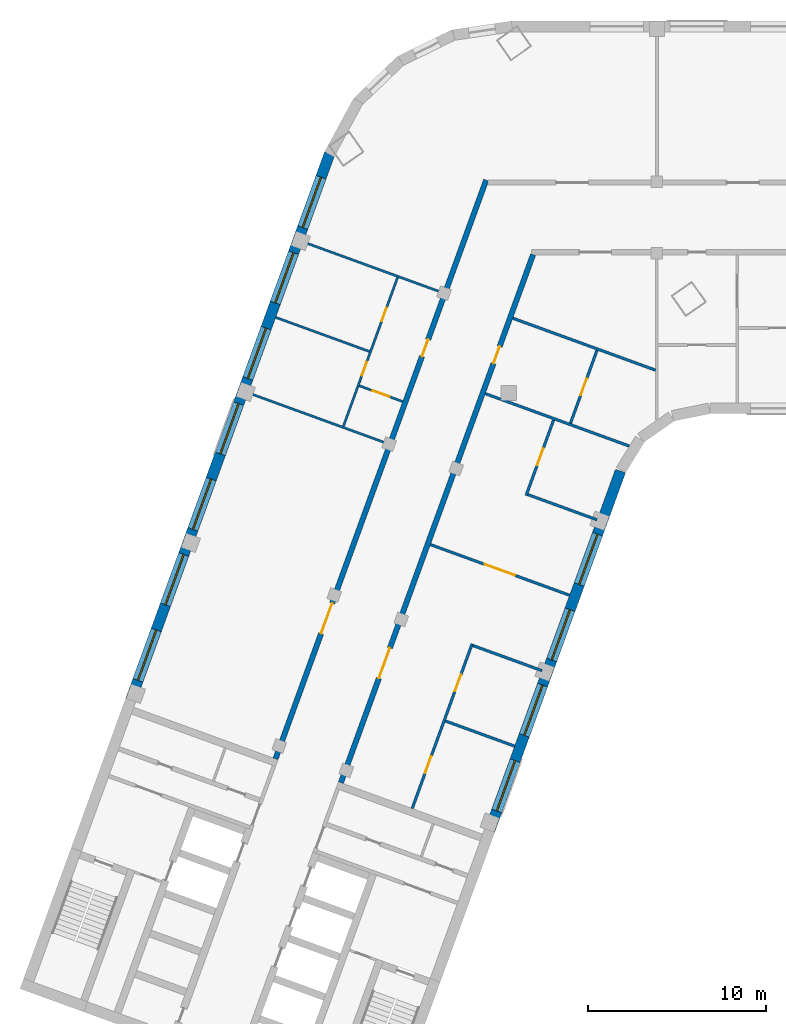
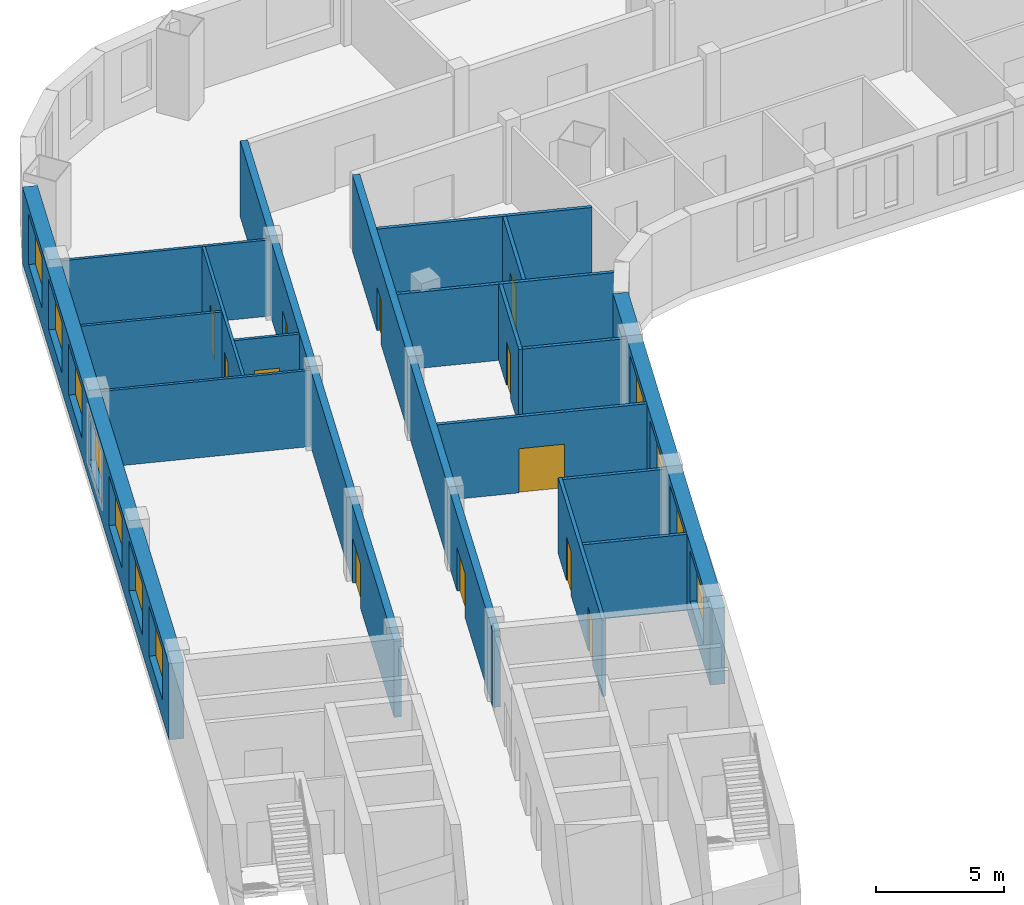
# One storey, part 3 of 8: 18 walls, 12 doors, 11 windows, 23 openings.
"""IFC4 building model written with IfcOpenShell, lengths in metres."""

from ifc_helpers import new_model, si_unit, direction, frame, frame_2d, origin, place, context, subcontext, project, spatial, rectangle, extrude, material, layer, layer_set, type_object, element, fill, save


model = new_model("IFC4")

# Units and contexts
model_context = context("Model", 3, precision=1e-05, world=origin(), true_north=direction((0.0, 1.0)))
body_context = subcontext(model_context, "Body", "Model", "MODEL_VIEW")
ifc_project = project(units=[si_unit("LENGTHUNIT", "METRE"), si_unit("AREAUNIT", "SQUARE_METRE"), si_unit("VOLUMEUNIT", "CUBIC_METRE"), si_unit("PLANEANGLEUNIT", "RADIAN"), si_unit("MASSUNIT", "GRAM", prefix="KILO")], contexts=[model_context])

# Site, building, storey
site_placement = place(None, origin())
site = spatial("IfcSite", under=ifc_project, at=site_placement, CompositionType="ELEMENT")
building_placement = place(site_placement, origin())
building = spatial("IfcBuilding", under=site, at=building_placement, Name="Skarvind Civic Tower", CompositionType="ELEMENT")
storey_placement = place(building_placement, frame((0.0, 0.0, 121.0)))
storey = spatial("IfcBuildingStorey", under=building, at=storey_placement, Name="L28", CompositionType="ELEMENT", Elevation=121.0)

# Wall, openings, doors
ifc_material_1 = material(Name="Fire-rated gypsum board on steel studs", Category="steel")
ifc_layer_1 = layer(ifc_material_1, 0.300048828125)
ifc_layer_set_1 = layer_set([ifc_layer_1], Name="CORRIDOR WALL 300")
wall_type_1 = type_object("IfcWallType", Name="CORRIDOR WALL 300", PredefinedType="PARTITIONING", material=ifc_layer_set_1)
wall_1_placement = place(storey_placement, frame((32.881103515625, 97.656982421875, 0.0), z_axis=(0.0, 0.0, 1.0), x_axis=(0.342017360004, 0.939693633828, 0.0)))
wall_1 = element("IfcWall", 1, at=wall_1_placement, inside=storey, type_object=wall_type_1, Name="Partition 28.002", PredefinedType="PARTITIONING", context=body_context, shape_type="SweptSolid", body=[
    extrude(rectangle(XDim=34.515625, YDim=0.300048828125, at=frame_2d((17.2578125, 0.0))), origin(), (0.0, 0.0, 1.0), 3.625),
])
opening_1_placement = place(wall_1_placement, frame((7.474853515625, 0.0, 0.0)))
opening_1 = element("IfcOpeningElement", 2, at=opening_1_placement, cuts=wall_1, Name="Opening L28-D016", PredefinedType="OPENING", context=body_context, shape_type="SweptSolid", body=[
    extrude(rectangle(XDim=1.800048828125, YDim=2.10009765625, at=frame_2d((0.89990234375, 1.050048828125))), frame((0.0, 0.159912109375, 0.0), z_axis=(0.0, -1.0, 0.0), x_axis=(1.0, 0.0, 0.0)), (0.0, 0.0, 1.0), 0.320068359375),
])
opening_2_placement = place(wall_1_placement, frame((24.00048828125, 0.0, 0.0)))
opening_2 = element("IfcOpeningElement", 3, at=opening_2_placement, cuts=wall_1, Name="Opening L28-D017", PredefinedType="OPENING", context=body_context, shape_type="SweptSolid", body=[
    extrude(rectangle(XDim=1.0, YDim=2.10009765625, at=frame_2d((0.5, 1.050048828125))), frame((0.0, 0.159912109375, 0.0), z_axis=(0.0, -1.0, 0.0), x_axis=(1.0, 0.0, 0.0)), (0.0, 0.0, 1.0), 0.320068359375),
])
ifc_material_2 = material(Name="Fire-rated timber door leaf", Category="wood")
door_type_1 = type_object("IfcDoorType", Name="FD1 1000x2100", OperationType="NOTDEFINED", PredefinedType="DOOR", material=ifc_material_2)
door_1_placement = place(opening_2_placement, origin())
door_1 = element("IfcDoor", 4, at=door_1_placement, inside=storey, type_object=door_type_1, Name="Door L28-D017", OperationType="SINGLE_SWING_LEFT", OverallHeight=2.10009765625, OverallWidth=1.0, PredefinedType="DOOR", context=body_context, shape_type="SweptSolid", body=[
    extrude(rectangle(XDim=1.0, YDim=2.10009765625, at=frame_2d((0.5, 1.050048828125))), frame((0.0, 0.02490234375, 0.0), z_axis=(0.0, -1.0, 0.0), x_axis=(1.0, 0.0, 0.0)), (0.0, 0.0, 1.0), 0.050048828125),
])
fill(opening_2, door_1)
door_type_2 = type_object("IfcDoorType", Name="FD4 1800x2100", OperationType="NOTDEFINED", PredefinedType="DOOR", material=ifc_material_2)
door_2_placement = place(opening_1_placement, origin())
door_2 = element("IfcDoor", 5, at=door_2_placement, inside=storey, type_object=door_type_2, Name="Door L28-D016", OperationType="DOUBLE_DOOR_SINGLE_SWING", OverallHeight=2.10009765625, OverallWidth=1.800048828125, PredefinedType="DOOR", context=body_context, shape_type="SweptSolid", body=[
    extrude(rectangle(XDim=1.800048828125, YDim=2.10009765625, at=frame_2d((0.89990234375, 1.050048828125))), frame((0.0, 0.02490234375, 0.0), z_axis=(0.0, -1.0, 0.0), x_axis=(1.0, 0.0, 0.0)), (0.0, 0.0, 1.0), 0.050048828125),
])
fill(opening_1, door_2)

wall_2_placement = place(storey_placement, frame((47.31396484375, 125.908935546875, 0.0), z_axis=(0.0, 0.0, 1.0), x_axis=(-0.342010770371, -0.939696032209, 0.0)))
wall_2 = element("IfcWall", 6, at=wall_2_placement, inside=storey, type_object=wall_type_1, Name="Partition 28.016", PredefinedType="PARTITIONING", context=body_context, shape_type="SweptSolid", body=[
    extrude(rectangle(XDim=31.484619140625, YDim=0.300048828125, at=frame_2d((15.7421875, 0.0))), origin(), (0.0, 0.0, 1.0), 3.625),
])
opening_3_placement = place(wall_2_placement, frame((23.459228515625, 0.0, 0.0)))
opening_3 = element("IfcOpeningElement", 7, at=opening_3_placement, cuts=wall_2, Name="Opening L28-D023", PredefinedType="OPENING", context=body_context, shape_type="SweptSolid", body=[
    extrude(rectangle(XDim=1.800048828125, YDim=2.10009765625, at=frame_2d((0.89990234375, 1.050048828125))), frame((0.0, 0.159912109375, 0.0), z_axis=(0.0, -1.0, 0.0), x_axis=(1.0, 0.0, 0.0)), (0.0, 0.0, 1.0), 0.320068359375),
])
opening_4_placement = place(wall_2_placement, frame((5.484130859375, 0.0, 0.0)))
opening_4 = element("IfcOpeningElement", 8, at=opening_4_placement, cuts=wall_2, Name="Opening L28-D024", PredefinedType="OPENING", context=body_context, shape_type="SweptSolid", body=[
    extrude(rectangle(XDim=1.0, YDim=2.10009765625, at=frame_2d((0.5, 1.050048828125))), frame((0.0, 0.159912109375, 0.0), z_axis=(0.0, -1.0, 0.0), x_axis=(1.0, 0.0, 0.0)), (0.0, 0.0, 1.0), 0.320068359375),
])
door_3_placement = place(opening_4_placement, origin())
door_3 = element("IfcDoor", 9, at=door_3_placement, inside=storey, type_object=door_type_1, Name="Door L28-D024", OperationType="SINGLE_SWING_LEFT", OverallHeight=2.10009765625, OverallWidth=1.0, PredefinedType="DOOR", context=body_context, shape_type="SweptSolid", body=[
    extrude(rectangle(XDim=1.0, YDim=2.10009765625, at=frame_2d((0.5, 1.050048828125))), frame((0.0, 0.02490234375, 0.0), z_axis=(0.0, -1.0, 0.0), x_axis=(1.0, 0.0, 0.0)), (0.0, 0.0, 1.0), 0.050048828125),
])
fill(opening_4, door_3)
door_4_placement = place(opening_3_placement, origin())
door_4 = element("IfcDoor", 10, at=door_4_placement, inside=storey, type_object=door_type_2, Name="Door L28-D023", OperationType="DOUBLE_DOOR_SINGLE_SWING", OverallHeight=2.10009765625, OverallWidth=1.800048828125, PredefinedType="DOOR", context=body_context, shape_type="SweptSolid", body=[
    extrude(rectangle(XDim=1.800048828125, YDim=2.10009765625, at=frame_2d((0.89990234375, 1.050048828125))), frame((0.0, 0.02490234375, 0.0), z_axis=(0.0, -1.0, 0.0), x_axis=(1.0, 0.0, 0.0)), (0.0, 0.0, 1.0), 0.050048828125),
])
fill(opening_3, door_4)

ifc_material_3 = material(Name="Plasterboard partition on steel studs", Category="steel")
ifc_layer_2 = layer(ifc_material_3, 0.14990234375)
ifc_layer_set_2 = layer_set([ifc_layer_2], Name="PARTITION 150")
wall_type_2 = type_object("IfcWallType", Name="PARTITION 150", PredefinedType="PARTITIONING", material=ifc_layer_set_2)
wall_3_placement = place(storey_placement, frame((40.5390625, 94.8701171875, 0.0), z_axis=(0.0, 0.0, 1.0), x_axis=(0.342082231415, 0.939670020247, 0.0)))
wall_3 = element("IfcWall", 11, at=wall_3_placement, inside=storey, type_object=wall_type_2, Name="Partition 28.009", PredefinedType="PARTITIONING", context=body_context, shape_type="SweptSolid", body=[
    extrude(rectangle(XDim=9.82470703125, YDim=0.14990234375, at=frame_2d((4.912353515625, 0.0))), origin(), (0.0, 0.0, 1.0), 3.625),
])
opening_5_placement = place(wall_3_placement, frame((2.125, 0.0, 0.0)))
opening_5 = element("IfcOpeningElement", 12, at=opening_5_placement, cuts=wall_3, Name="Opening L28-D021", PredefinedType="OPENING", context=body_context, shape_type="SweptSolid", body=[
    extrude(rectangle(XDim=1.0, YDim=2.10009765625, at=frame_2d((0.5, 1.050048828125))), frame((0.0, 0.0849609375, 0.0), z_axis=(0.0, -1.0, 0.0), x_axis=(1.0, 0.0, 0.0)), (0.0, 0.0, 1.0), 0.169921875),
])
opening_6_placement = place(wall_3_placement, frame((7.0, 0.0, 0.0)))
opening_6 = element("IfcOpeningElement", 13, at=opening_6_placement, cuts=wall_3, Name="Opening L28-D022", PredefinedType="OPENING", context=body_context, shape_type="SweptSolid", body=[
    extrude(rectangle(XDim=1.0, YDim=2.10009765625, at=frame_2d((0.5, 1.050048828125))), frame((0.0, 0.0849609375, 0.0), z_axis=(0.0, -1.0, 0.0), x_axis=(1.0, 0.0, 0.0)), (0.0, 0.0, 1.0), 0.169921875),
])
ifc_material_4 = material(Name="Timber door leaf", Category="wood")
door_type_3 = type_object("IfcDoorType", Name="D1 1000x2100", OperationType="NOTDEFINED", PredefinedType="DOOR", material=ifc_material_4)
door_5_placement = place(opening_5_placement, origin())
door_5 = element("IfcDoor", 14, at=door_5_placement, inside=storey, type_object=door_type_3, Name="Door L28-D021", OperationType="SINGLE_SWING_LEFT", OverallHeight=2.10009765625, OverallWidth=1.0, PredefinedType="DOOR", context=body_context, shape_type="SweptSolid", body=[
    extrude(rectangle(XDim=1.0, YDim=2.10009765625, at=frame_2d((0.5, 1.050048828125))), frame((0.0, 0.02490234375, 0.0), z_axis=(0.0, -1.0, 0.0), x_axis=(1.0, 0.0, 0.0)), (0.0, 0.0, 1.0), 0.050048828125),
])
fill(opening_5, door_5)
door_6_placement = place(opening_6_placement, origin())
door_6 = element("IfcDoor", 15, at=door_6_placement, inside=storey, type_object=door_type_3, Name="Door L28-D022", OperationType="SINGLE_SWING_LEFT", OverallHeight=2.10009765625, OverallWidth=1.0, PredefinedType="DOOR", context=body_context, shape_type="SweptSolid", body=[
    extrude(rectangle(XDim=1.0, YDim=2.10009765625, at=frame_2d((0.5, 1.050048828125))), frame((0.0, 0.02490234375, 0.0), z_axis=(0.0, -1.0, 0.0), x_axis=(1.0, 0.0, 0.0)), (0.0, 0.0, 1.0), 0.050048828125),
])
fill(opening_6, door_6)

# Wall, opening, door
wall_4_placement = place(storey_placement, frame((41.56103515625, 109.6630859375, 0.0), z_axis=(0.0, 0.0, 1.0), x_axis=(0.939673986983, -0.342071334939, 0.0)))
wall_4 = element("IfcWall", 16, at=wall_4_placement, inside=storey, type_object=wall_type_2, Name="Partition 28.010", PredefinedType="PARTITIONING", context=body_context, shape_type="SweptSolid", body=[
    extrude(rectangle(XDim=8.2998046875, YDim=0.14990234375, at=frame_2d((4.14990234375, 0.0))), origin(), (0.0, 0.0, 1.0), 3.625),
])
opening_7_placement = place(wall_4_placement, frame((3.23974609375, 0.0, 0.0)))
opening_7 = element("IfcOpeningElement", 17, at=opening_7_placement, cuts=wall_4, Name="Opening L28-D029", PredefinedType="OPENING", context=body_context, shape_type="SweptSolid", body=[
    extrude(rectangle(XDim=1.800048828125, YDim=2.10009765625, at=frame_2d((0.89990234375, 1.050048828125))), frame((0.0, 0.0849609375, 0.0), z_axis=(0.0, -1.0, 0.0), x_axis=(1.0, 0.0, 0.0)), (0.0, 0.0, 1.0), 0.169921875),
])
door_type_4 = type_object("IfcDoorType", Name="D4 1800x2100", OperationType="NOTDEFINED", PredefinedType="DOOR", material=ifc_material_4)
door_7_placement = place(opening_7_placement, origin())
door_7 = element("IfcDoor", 18, at=door_7_placement, inside=storey, type_object=door_type_4, Name="Door L28-D029", OperationType="DOUBLE_DOOR_SINGLE_SWING", OverallHeight=2.10009765625, OverallWidth=1.800048828125, PredefinedType="DOOR", context=body_context, shape_type="SweptSolid", body=[
    extrude(rectangle(XDim=1.800048828125, YDim=2.10009765625, at=frame_2d((0.89990234375, 1.050048828125))), frame((0.0, 0.02490234375, 0.0), z_axis=(0.0, -1.0, 0.0), x_axis=(1.0, 0.0, 0.0)), (0.0, 0.0, 1.0), 0.050048828125),
])
fill(opening_7, door_7)

# Walls
wall_5_placement = place(storey_placement, frame((42.405029296875, 99.777099609375, 0.0), z_axis=(0.0, 0.0, 1.0), x_axis=(0.939765774653, -0.341819087808, 0.0)))
element("IfcWall", 19, at=wall_5_placement, inside=storey, type_object=wall_type_2, Name="Partition 28.011", PredefinedType="PARTITIONING", context=body_context, shape_type="SweptSolid", body=[
    extrude(rectangle(XDim=4.12548828125, YDim=0.14990234375, at=frame_2d((2.062744140625, 0.0))), origin(), (0.0, 0.0, 1.0), 3.625),
])
wall_6_placement = place(storey_placement, frame((44.638916015625, 118.1201171875, 0.0), z_axis=(0.0, 0.0, 1.0), x_axis=(0.939669707102, -0.342083091593, 0.0)))
element("IfcWall", 20, at=wall_6_placement, inside=storey, type_object=wall_type_2, Name="Partition 28.012", PredefinedType="PARTITIONING", context=body_context, shape_type="SweptSolid", body=[
    extrude(rectangle(XDim=8.58935546875, YDim=0.14990234375, at=frame_2d((4.294677734375, 0.0))), origin(), (0.0, 0.0, 1.0), 3.625),
])
wall_7_placement = place(storey_placement, frame((46.177978515625, 122.34912109375, 0.0), z_axis=(0.0, 0.0, 1.0), x_axis=(0.939669476286, -0.342083725624, 0.0)))
element("IfcWall", 21, at=wall_7_placement, inside=storey, type_object=wall_type_2, Name="Partition 28.014", PredefinedType="PARTITIONING", context=body_context, shape_type="SweptSolid", body=[
    extrude(rectangle(XDim=8.515625, YDim=0.14990234375, at=frame_2d((4.2578125, 0.0))), origin(), (0.0, 0.0, 1.0), 3.625),
])
for number, where, z_axis, x_axis, name in (
    (22, (50.89892578125, 111.052001953125, 0.0), (0.0, 0.0, 1.0), (-0.93970873465, 0.341975867603, 0.0), "Partition 28.015"),
    (23, (43.944091796875, 104.006103515625, 0.0), (0.0, 0.0, 1.0), (0.939689717042, -0.34202812119, 0.0), "Partition 28.017"),
):
    element("IfcWall", number, at=place(storey_placement, frame(where, z_axis=z_axis, x_axis=x_axis)), inside=storey, type_object=wall_type_2, Name=name, PredefinedType="PARTITIONING", context=body_context, shape_type="SweptSolid", body=[
        extrude(rectangle(XDim=4.125732421875, YDim=0.14990234375, at=frame_2d((2.06298828125, 0.0))), origin(), (0.0, 0.0, 1.0), 3.625),
    ])

# Wall, opening, door
wall_8_placement = place(storey_placement, frame((46.926025390625, 112.4189453125, 0.0), z_axis=(0.0, 0.0, 1.0), x_axis=(0.342056723843, 0.93967930576, 0.0)))
wall_8 = element("IfcWall", 24, at=wall_8_placement, inside=storey, type_object=wall_type_2, Name="Partition 28.018", PredefinedType="PARTITIONING", context=body_context, shape_type="SweptSolid", body=[
    extrude(rectangle(XDim=4.49951171875, YDim=0.14990234375, at=frame_2d((2.249755859375, 0.0))), origin(), (0.0, 0.0, 1.0), 3.625),
])
opening_8_placement = place(wall_8_placement, frame((1.796875, 0.0, 0.0)))
opening_8 = element("IfcOpeningElement", 25, at=opening_8_placement, cuts=wall_8, Name="Opening L28-D025", PredefinedType="OPENING", context=body_context, shape_type="SweptSolid", body=[
    extrude(rectangle(XDim=1.0, YDim=2.10009765625, at=frame_2d((0.5, 1.050048828125))), frame((0.0, 0.0849609375, 0.0), z_axis=(0.0, -1.0, 0.0), x_axis=(1.0, 0.0, 0.0)), (0.0, 0.0, 1.0), 0.169921875),
])
door_8_placement = place(opening_8_placement, origin())
door_8 = element("IfcDoor", 26, at=door_8_placement, inside=storey, type_object=door_type_3, Name="Door L28-D025", OperationType="SINGLE_SWING_RIGHT", OverallHeight=2.10009765625, OverallWidth=1.0, PredefinedType="DOOR", context=body_context, shape_type="SweptSolid", body=[
    extrude(rectangle(XDim=1.0, YDim=2.10009765625, at=frame_2d((0.5, 1.050048828125))), frame((0.0, 0.02490234375, 0.0), z_axis=(0.0, -1.0, 0.0), x_axis=(1.0, 0.0, 0.0)), (0.0, 0.0, 1.0), 0.050048828125),
])
fill(opening_8, door_8)

wall_9_placement = place(storey_placement, frame((49.409912109375, 116.462890625, 0.0), z_axis=(0.0, 0.0, 1.0), x_axis=(0.341837690029, 0.939759008297, 0.0)))
wall_9 = element("IfcWall", 27, at=wall_9_placement, inside=storey, type_object=wall_type_2, Name="Partition 28.019", PredefinedType="PARTITIONING", context=body_context, shape_type="SweptSolid", body=[
    extrude(rectangle(XDim=4.35009765625, YDim=0.14990234375, at=frame_2d((2.175048828125, 0.0))), origin(), (0.0, 0.0, 1.0), 3.625),
])
opening_9_placement = place(wall_9_placement, frame((1.675048828125, 0.0, 0.0)))
opening_9 = element("IfcOpeningElement", 28, at=opening_9_placement, cuts=wall_9, Name="Opening L28-D026", PredefinedType="OPENING", context=body_context, shape_type="SweptSolid", body=[
    extrude(rectangle(XDim=1.0, YDim=2.10009765625, at=frame_2d((0.5, 1.050048828125))), frame((0.0, 0.0849609375, 0.0), z_axis=(0.0, -1.0, 0.0), x_axis=(1.0, 0.0, 0.0)), (0.0, 0.0, 1.0), 0.169921875),
])
door_9_placement = place(opening_9_placement, origin())
door_9 = element("IfcDoor", 29, at=door_9_placement, inside=storey, type_object=door_type_3, Name="Door L28-D026", OperationType="SINGLE_SWING_LEFT", OverallHeight=2.10009765625, OverallWidth=1.0, PredefinedType="DOOR", context=body_context, shape_type="SweptSolid", body=[
    extrude(rectangle(XDim=1.0, YDim=2.10009765625, at=frame_2d((0.5, 1.050048828125))), frame((0.0, 0.02490234375, 0.0), z_axis=(0.0, -1.0, 0.0), x_axis=(1.0, 0.0, 0.0)), (0.0, 0.0, 1.0), 0.050048828125),
])
fill(opening_9, door_9)

# Walls
ifc_material_5 = material(Name="Moisture-resistant gypsum board on steel studs", Category="steel")
ifc_layer_3 = layer(ifc_material_5, 0.125)
ifc_layer_set_3 = layer_set([ifc_layer_3], Name="WC PARTITION 125")
wall_type_3 = type_object("IfcWallType", Name="WC PARTITION 125", PredefinedType="PARTITIONING", material=ifc_layer_set_3)
wall_10_placement = place(storey_placement, frame((31.35302734375, 118.166015625, 0.0), z_axis=(0.0, 0.0, 1.0), x_axis=(0.939687752599, -0.342033518263, 0.0)))
element("IfcWall", 30, at=wall_10_placement, inside=storey, type_object=wall_type_3, Name="Partition 28.001", PredefinedType="PARTITIONING", context=body_context, shape_type="SweptSolid", body=[
    extrude(rectangle(XDim=8.30078125, YDim=0.125, at=frame_2d((4.150390625, 0.0))), origin(), (0.0, 0.0, 1.0), 3.625),
])
wall_11_placement = place(storey_placement, frame((32.89208984375, 122.39501953125, 0.0), z_axis=(0.0, 0.0, 1.0), x_axis=(0.939696437289, -0.342009657388, 0.0)))
element("IfcWall", 31, at=wall_11_placement, inside=storey, type_object=wall_type_3, Name="Partition 28.003", PredefinedType="PARTITIONING", context=body_context, shape_type="SweptSolid", body=[
    extrude(rectangle(XDim=5.587890625, YDim=0.125, at=frame_2d((2.7939453125, 0.0))), origin(), (0.0, 0.0, 1.0), 3.625),
])
wall_12_placement = place(storey_placement, frame((34.430908203125, 126.6240234375, 0.0), z_axis=(0.0, 0.0, 1.0), x_axis=(0.939687752599, -0.342033518263, 0.0)))
element("IfcWall", 32, at=wall_12_placement, inside=storey, type_object=wall_type_3, Name="Partition 28.004", PredefinedType="PARTITIONING", context=body_context, shape_type="SweptSolid", body=[
    extrude(rectangle(XDim=8.30078125, YDim=0.125, at=frame_2d((4.150390625, 0.0))), origin(), (0.0, 0.0, 1.0), 3.625),
])

# Wall, openings, doors
wall_13_placement = place(storey_placement, frame((36.68408203125, 116.29296875, 0.0), z_axis=(0.0, 0.0, 1.0), x_axis=(0.342089829483, 0.939667254173, 0.0)))
wall_13 = element("IfcWall", 33, at=wall_13_placement, inside=storey, type_object=wall_type_3, Name="Partition 28.006", PredefinedType="PARTITIONING", context=body_context, shape_type="SweptSolid", body=[
    extrude(rectangle(XDim=8.87451171875, YDim=0.125, at=frame_2d((4.437255859375, 0.0))), origin(), (0.0, 0.0, 1.0), 3.625),
])
opening_10_placement = place(wall_13_placement, frame((6.26611328125, 0.0, 0.0)))
opening_10 = element("IfcOpeningElement", 34, at=opening_10_placement, cuts=wall_13, Name="Opening L28-D019", PredefinedType="OPENING", context=body_context, shape_type="SweptSolid", body=[
    extrude(rectangle(XDim=0.800048828125, YDim=2.10009765625, at=frame_2d((0.39990234375, 1.050048828125))), frame((0.0, 0.072509765625, 0.0), z_axis=(0.0, -1.0, 0.0), x_axis=(1.0, 0.0, 0.0)), (0.0, 0.0, 1.0), 0.14501953125),
])
opening_11_placement = place(wall_13_placement, frame((3.035888671875, 0.0, 0.0)))
opening_11 = element("IfcOpeningElement", 35, at=opening_11_placement, cuts=wall_13, Name="Opening L28-D020", PredefinedType="OPENING", context=body_context, shape_type="SweptSolid", body=[
    extrude(rectangle(XDim=0.800048828125, YDim=2.10009765625, at=frame_2d((0.39990234375, 1.050048828125))), frame((0.0, 0.072509765625, 0.0), z_axis=(0.0, -1.0, 0.0), x_axis=(1.0, 0.0, 0.0)), (0.0, 0.0, 1.0), 0.14501953125),
])
door_type_5 = type_object("IfcDoorType", Name="DOOR 800X2100 TIMBER", OperationType="NOTDEFINED", PredefinedType="DOOR", material=ifc_material_4)
door_10_placement = place(opening_10_placement, origin())
door_10 = element("IfcDoor", 36, at=door_10_placement, inside=storey, type_object=door_type_5, Name="Door L28-D019", OperationType="SINGLE_SWING_RIGHT", OverallHeight=2.10009765625, OverallWidth=0.800048828125, PredefinedType="DOOR", context=body_context, shape_type="SweptSolid", body=[
    extrude(rectangle(XDim=0.800048828125, YDim=2.10009765625, at=frame_2d((0.39990234375, 1.050048828125))), frame((0.0, 0.02490234375, 0.0), z_axis=(0.0, -1.0, 0.0), x_axis=(1.0, 0.0, 0.0)), (0.0, 0.0, 1.0), 0.050048828125),
])
fill(opening_10, door_10)
door_11_placement = place(opening_11_placement, origin())
door_11 = element("IfcDoor", 37, at=door_11_placement, inside=storey, type_object=door_type_5, Name="Door L28-D020", OperationType="SINGLE_SWING_LEFT", OverallHeight=2.10009765625, OverallWidth=0.800048828125, PredefinedType="DOOR", context=body_context, shape_type="SweptSolid", body=[
    extrude(rectangle(XDim=0.800048828125, YDim=2.10009765625, at=frame_2d((0.39990234375, 1.050048828125))), frame((0.0, 0.02490234375, 0.0), z_axis=(0.0, -1.0, 0.0), x_axis=(1.0, 0.0, 0.0)), (0.0, 0.0, 1.0), 0.050048828125),
])
fill(opening_11, door_11)

# Wall, opening, door
wall_14_placement = place(storey_placement, frame((40.008056640625, 117.677001953125, 0.0), z_axis=(0.0, 0.0, 1.0), x_axis=(-0.939674895655, 0.342068838798, 0.0)))
wall_14 = element("IfcWall", 38, at=wall_14_placement, inside=storey, type_object=wall_type_3, Name="Partition 28.007", PredefinedType="PARTITIONING", context=body_context, shape_type="SweptSolid", body=[
    extrude(rectangle(XDim=2.587158203125, YDim=0.125, at=frame_2d((1.29345703125, 0.0))), origin(), (0.0, 0.0, 1.0), 3.625),
])
opening_12_placement = place(wall_14_placement, frame((0.79345703125, 0.0, 0.0)))
opening_12 = element("IfcOpeningElement", 39, at=opening_12_placement, cuts=wall_14, Name="Opening L28-D018", PredefinedType="OPENING", context=body_context, shape_type="SweptSolid", body=[
    extrude(rectangle(XDim=1.0, YDim=2.10009765625, at=frame_2d((0.5, 1.050048828125))), frame((0.0, 0.072509765625, 0.0), z_axis=(0.0, -1.0, 0.0), x_axis=(1.0, 0.0, 0.0)), (0.0, 0.0, 1.0), 0.14501953125),
])
door_12_placement = place(opening_12_placement, origin())
door_12 = element("IfcDoor", 40, at=door_12_placement, inside=storey, type_object=door_type_3, Name="Door L28-D018", OperationType="SINGLE_SWING_LEFT", OverallHeight=2.10009765625, OverallWidth=1.0, PredefinedType="DOOR", context=body_context, shape_type="SweptSolid", body=[
    extrude(rectangle(XDim=1.0, YDim=2.10009765625, at=frame_2d((0.5, 1.050048828125))), frame((0.0, 0.02490234375, 0.0), z_axis=(0.0, -1.0, 0.0), x_axis=(1.0, 0.0, 0.0)), (0.0, 0.0, 1.0), 0.050048828125),
])
fill(opening_12, door_12)

# Wall, openings, windows
ifc_material_6 = material(Name="Limestone masonry cladding on insulated backing", Category="masonry")
ifc_layer_4 = layer(ifc_material_6, 0.60009765625)
ifc_layer_set_4 = layer_set([ifc_layer_4], Name="WX1 STONE FACADE WALL 600")
wall_type_4 = type_object("IfcWallType", Name="WX1 STONE FACADE WALL 600", PredefinedType="SOLIDWALL", material=ifc_layer_set_4)
wall_15_placement = place(storey_placement, frame((52.212158203125, 113.78271484375, 0.0), z_axis=(0.0, 0.0, 1.0), x_axis=(-0.34202521188, -0.939690775968, 0.0)))
wall_15 = element("IfcWall", 41, at=wall_15_placement, inside=storey, type_object=wall_type_4, Name="STONE FACADE WALL", PredefinedType="SOLIDWALL", context=body_context, shape_type="SweptSolid", body=[
    extrude(rectangle(XDim=21.744873046875, YDim=0.60009765625, at=frame_2d((10.87255859375, 0.0))), origin(), (0.0, 0.0, 1.0), 3.625),
])
opening_13_placement = place(wall_15_placement, frame((3.764892578125, 0.0, 0.89990234375)))
opening_13 = element("IfcOpeningElement", 42, at=opening_13_placement, cuts=wall_15, Name="Opening WN1", PredefinedType="OPENING", context=body_context, shape_type="SweptSolid", body=[
    extrude(rectangle(XDim=3.0, YDim=2.39990234375, at=frame_2d((1.5, 1.199951171875))), frame((0.0, 0.31005859375, 0.0), z_axis=(0.0, -1.0, 0.0), x_axis=(1.0, 0.0, 0.0)), (0.0, 0.0, 1.0), 0.6201171875),
])
opening_14_placement = place(wall_15_placement, frame((8.264892578125, 0.0, 0.89990234375)))
opening_14 = element("IfcOpeningElement", 43, at=opening_14_placement, cuts=wall_15, Name="Opening WN1", PredefinedType="OPENING", context=body_context, shape_type="SweptSolid", body=[
    extrude(rectangle(XDim=3.0, YDim=2.39990234375, at=frame_2d((1.5, 1.199951171875))), frame((0.0, 0.31005859375, 0.0), z_axis=(0.0, -1.0, 0.0), x_axis=(1.0, 0.0, 0.0)), (0.0, 0.0, 1.0), 0.6201171875),
])
opening_15_placement = place(wall_15_placement, frame((12.764892578125, 0.0, 0.89990234375)))
opening_15 = element("IfcOpeningElement", 44, at=opening_15_placement, cuts=wall_15, Name="Opening WN1", PredefinedType="OPENING", context=body_context, shape_type="SweptSolid", body=[
    extrude(rectangle(XDim=3.0, YDim=2.39990234375, at=frame_2d((1.5, 1.199951171875))), frame((0.0, 0.31005859375, 0.0), z_axis=(0.0, -1.0, 0.0), x_axis=(1.0, 0.0, 0.0)), (0.0, 0.0, 1.0), 0.6201171875),
])
opening_16_placement = place(wall_15_placement, frame((17.264892578125, 0.0, 0.89990234375)))
opening_16 = element("IfcOpeningElement", 45, at=opening_16_placement, cuts=wall_15, Name="Opening WN1", PredefinedType="OPENING", context=body_context, shape_type="SweptSolid", body=[
    extrude(rectangle(XDim=3.0, YDim=2.39990234375, at=frame_2d((1.5, 1.199951171875))), frame((0.0, 0.31005859375, 0.0), z_axis=(0.0, -1.0, 0.0), x_axis=(1.0, 0.0, 0.0)), (0.0, 0.0, 1.0), 0.6201171875),
])
ifc_material_7 = material(Name="Timber frame, double glazing, timber-lined reveal", Category="wood")
window_type = type_object("IfcWindowType", Name="WN1 PUNCHED STONE WINDOW 3000 x 2400", PartitioningType="SINGLE_PANEL", PredefinedType="WINDOW", material=ifc_material_7)
window_1_placement = place(opening_13_placement, origin())
window_1 = element("IfcWindow", 46, at=window_1_placement, inside=storey, type_object=window_type, Name="WN1 WINDOW", OverallHeight=2.39990234375, OverallWidth=3.0, PartitioningType="SINGLE_PANEL", PredefinedType="WINDOW", context=body_context, shape_type="SweptSolid", body=[
    extrude(rectangle(XDim=3.0, YDim=2.39990234375, at=frame_2d((1.5, 1.199951171875))), frame((0.0, 0.030029296875, 0.0), z_axis=(0.0, -1.0, 0.0), x_axis=(1.0, 0.0, 0.0)), (0.0, 0.0, 1.0), 0.06005859375),
])
fill(opening_13, window_1)
window_2_placement = place(opening_14_placement, origin())
window_2 = element("IfcWindow", 47, at=window_2_placement, inside=storey, type_object=window_type, Name="WN1 WINDOW", OverallHeight=2.39990234375, OverallWidth=3.0, PartitioningType="SINGLE_PANEL", PredefinedType="WINDOW", context=body_context, shape_type="SweptSolid", body=[
    extrude(rectangle(XDim=3.0, YDim=2.39990234375, at=frame_2d((1.5, 1.199951171875))), frame((0.0, 0.030029296875, 0.0), z_axis=(0.0, -1.0, 0.0), x_axis=(1.0, 0.0, 0.0)), (0.0, 0.0, 1.0), 0.06005859375),
])
fill(opening_14, window_2)
window_3_placement = place(opening_15_placement, origin())
window_3 = element("IfcWindow", 48, at=window_3_placement, inside=storey, type_object=window_type, Name="WN1 WINDOW", OverallHeight=2.39990234375, OverallWidth=3.0, PartitioningType="SINGLE_PANEL", PredefinedType="WINDOW", context=body_context, shape_type="SweptSolid", body=[
    extrude(rectangle(XDim=3.0, YDim=2.39990234375, at=frame_2d((1.5, 1.199951171875))), frame((0.0, 0.030029296875, 0.0), z_axis=(0.0, -1.0, 0.0), x_axis=(1.0, 0.0, 0.0)), (0.0, 0.0, 1.0), 0.06005859375),
])
fill(opening_15, window_3)
window_4_placement = place(opening_16_placement, origin())
window_4 = element("IfcWindow", 49, at=window_4_placement, inside=storey, type_object=window_type, Name="WN1 WINDOW", OverallHeight=2.39990234375, OverallWidth=3.0, PartitioningType="SINGLE_PANEL", PredefinedType="WINDOW", context=body_context, shape_type="SweptSolid", body=[
    extrude(rectangle(XDim=3.0, YDim=2.39990234375, at=frame_2d((1.5, 1.199951171875))), frame((0.0, 0.030029296875, 0.0), z_axis=(0.0, -1.0, 0.0), x_axis=(1.0, 0.0, 0.0)), (0.0, 0.0, 1.0), 0.06005859375),
])
fill(opening_16, window_4)

wall_16_placement = place(storey_placement, frame((24.66552734375, 100.668701171875, 0.0), z_axis=(0.0, 0.0, 1.0), x_axis=(0.34201964167, 0.939692803373, 0.0)))
wall_16 = element("IfcWall", 50, at=wall_16_placement, inside=storey, type_object=wall_type_4, Name="STONE FACADE WALL", PredefinedType="SOLIDWALL", context=body_context, shape_type="SweptSolid", body=[
    extrude(rectangle(XDim=32.88427734375, YDim=0.60009765625, at=frame_2d((16.442138671875, 0.0))), origin(), (0.0, 0.0, 1.0), 3.625),
])
opening_17_placement = place(wall_16_placement, frame((1.47998046875, 0.0, 0.89990234375)))
opening_17 = element("IfcOpeningElement", 51, at=opening_17_placement, cuts=wall_16, Name="Opening WN1", PredefinedType="OPENING", context=body_context, shape_type="SweptSolid", body=[
    extrude(rectangle(XDim=3.0, YDim=2.39990234375, at=frame_2d((1.5, 1.199951171875))), frame((0.0, 0.31005859375, 0.0), z_axis=(0.0, -1.0, 0.0), x_axis=(1.0, 0.0, 0.0)), (0.0, 0.0, 1.0), 0.6201171875),
])
opening_18_placement = place(wall_16_placement, frame((5.97998046875, 0.0, 0.89990234375)))
opening_18 = element("IfcOpeningElement", 52, at=opening_18_placement, cuts=wall_16, Name="Opening WN1", PredefinedType="OPENING", context=body_context, shape_type="SweptSolid", body=[
    extrude(rectangle(XDim=3.0, YDim=2.39990234375, at=frame_2d((1.5, 1.199951171875))), frame((0.0, 0.31005859375, 0.0), z_axis=(0.0, -1.0, 0.0), x_axis=(1.0, 0.0, 0.0)), (0.0, 0.0, 1.0), 0.6201171875),
])
opening_19_placement = place(wall_16_placement, frame((10.47998046875, 0.0, 0.89990234375)))
opening_19 = element("IfcOpeningElement", 53, at=opening_19_placement, cuts=wall_16, Name="Opening WN1", PredefinedType="OPENING", context=body_context, shape_type="SweptSolid", body=[
    extrude(rectangle(XDim=3.0, YDim=2.39990234375, at=frame_2d((1.5, 1.199951171875))), frame((0.0, 0.31005859375, 0.0), z_axis=(0.0, -1.0, 0.0), x_axis=(1.0, 0.0, 0.0)), (0.0, 0.0, 1.0), 0.6201171875),
])
opening_20_placement = place(wall_16_placement, frame((14.97998046875, 0.0, 0.89990234375)))
opening_20 = element("IfcOpeningElement", 54, at=opening_20_placement, cuts=wall_16, Name="Opening WN1", PredefinedType="OPENING", context=body_context, shape_type="SweptSolid", body=[
    extrude(rectangle(XDim=3.0, YDim=2.39990234375, at=frame_2d((1.5, 1.199951171875))), frame((0.0, 0.31005859375, 0.0), z_axis=(0.0, -1.0, 0.0), x_axis=(1.0, 0.0, 0.0)), (0.0, 0.0, 1.0), 0.6201171875),
])
opening_21_placement = place(wall_16_placement, frame((19.47998046875, 0.0, 0.89990234375)))
opening_21 = element("IfcOpeningElement", 55, at=opening_21_placement, cuts=wall_16, Name="Opening WN1", PredefinedType="OPENING", context=body_context, shape_type="SweptSolid", body=[
    extrude(rectangle(XDim=3.0, YDim=2.39990234375, at=frame_2d((1.5, 1.199951171875))), frame((0.0, 0.31005859375, 0.0), z_axis=(0.0, -1.0, 0.0), x_axis=(1.0, 0.0, 0.0)), (0.0, 0.0, 1.0), 0.6201171875),
])
opening_22_placement = place(wall_16_placement, frame((23.97998046875, 0.0, 0.89990234375)))
opening_22 = element("IfcOpeningElement", 56, at=opening_22_placement, cuts=wall_16, Name="Opening WN1", PredefinedType="OPENING", context=body_context, shape_type="SweptSolid", body=[
    extrude(rectangle(XDim=3.0, YDim=2.39990234375, at=frame_2d((1.5, 1.199951171875))), frame((0.0, 0.31005859375, 0.0), z_axis=(0.0, -1.0, 0.0), x_axis=(1.0, 0.0, 0.0)), (0.0, 0.0, 1.0), 0.6201171875),
])
opening_23_placement = place(wall_16_placement, frame((28.47998046875, 0.0, 0.89990234375)))
opening_23 = element("IfcOpeningElement", 57, at=opening_23_placement, cuts=wall_16, Name="Opening WN1", PredefinedType="OPENING", context=body_context, shape_type="SweptSolid", body=[
    extrude(rectangle(XDim=3.0, YDim=2.39990234375, at=frame_2d((1.5, 1.199951171875))), frame((0.0, 0.31005859375, 0.0), z_axis=(0.0, -1.0, 0.0), x_axis=(1.0, 0.0, 0.0)), (0.0, 0.0, 1.0), 0.6201171875),
])
window_5_placement = place(opening_17_placement, origin())
window_5 = element("IfcWindow", 58, at=window_5_placement, inside=storey, type_object=window_type, Name="WN1 WINDOW", OverallHeight=2.39990234375, OverallWidth=3.0, PartitioningType="SINGLE_PANEL", PredefinedType="WINDOW", context=body_context, shape_type="SweptSolid", body=[
    extrude(rectangle(XDim=3.0, YDim=2.39990234375, at=frame_2d((1.5, 1.199951171875))), frame((0.0, 0.030029296875, 0.0), z_axis=(0.0, -1.0, 0.0), x_axis=(1.0, 0.0, 0.0)), (0.0, 0.0, 1.0), 0.06005859375),
])
fill(opening_17, window_5)
window_6_placement = place(opening_18_placement, origin())
window_6 = element("IfcWindow", 59, at=window_6_placement, inside=storey, type_object=window_type, Name="WN1 WINDOW", OverallHeight=2.39990234375, OverallWidth=3.0, PartitioningType="SINGLE_PANEL", PredefinedType="WINDOW", context=body_context, shape_type="SweptSolid", body=[
    extrude(rectangle(XDim=3.0, YDim=2.39990234375, at=frame_2d((1.5, 1.199951171875))), frame((0.0, 0.030029296875, 0.0), z_axis=(0.0, -1.0, 0.0), x_axis=(1.0, 0.0, 0.0)), (0.0, 0.0, 1.0), 0.06005859375),
])
fill(opening_18, window_6)
window_7_placement = place(opening_19_placement, origin())
window_7 = element("IfcWindow", 60, at=window_7_placement, inside=storey, type_object=window_type, Name="WN1 WINDOW", OverallHeight=2.39990234375, OverallWidth=3.0, PartitioningType="SINGLE_PANEL", PredefinedType="WINDOW", context=body_context, shape_type="SweptSolid", body=[
    extrude(rectangle(XDim=3.0, YDim=2.39990234375, at=frame_2d((1.5, 1.199951171875))), frame((0.0, 0.030029296875, 0.0), z_axis=(0.0, -1.0, 0.0), x_axis=(1.0, 0.0, 0.0)), (0.0, 0.0, 1.0), 0.06005859375),
])
fill(opening_19, window_7)
window_8_placement = place(opening_20_placement, origin())
window_8 = element("IfcWindow", 61, at=window_8_placement, inside=storey, type_object=window_type, Name="WN1 WINDOW", OverallHeight=2.39990234375, OverallWidth=3.0, PartitioningType="SINGLE_PANEL", PredefinedType="WINDOW", context=body_context, shape_type="SweptSolid", body=[
    extrude(rectangle(XDim=3.0, YDim=2.39990234375, at=frame_2d((1.5, 1.199951171875))), frame((0.0, 0.030029296875, 0.0), z_axis=(0.0, -1.0, 0.0), x_axis=(1.0, 0.0, 0.0)), (0.0, 0.0, 1.0), 0.06005859375),
])
fill(opening_20, window_8)
window_9_placement = place(opening_21_placement, origin())
window_9 = element("IfcWindow", 62, at=window_9_placement, inside=storey, type_object=window_type, Name="WN1 WINDOW", OverallHeight=2.39990234375, OverallWidth=3.0, PartitioningType="SINGLE_PANEL", PredefinedType="WINDOW", context=body_context, shape_type="SweptSolid", body=[
    extrude(rectangle(XDim=3.0, YDim=2.39990234375, at=frame_2d((1.5, 1.199951171875))), frame((0.0, 0.030029296875, 0.0), z_axis=(0.0, -1.0, 0.0), x_axis=(1.0, 0.0, 0.0)), (0.0, 0.0, 1.0), 0.06005859375),
])
fill(opening_21, window_9)
window_10_placement = place(opening_22_placement, origin())
window_10 = element("IfcWindow", 63, at=window_10_placement, inside=storey, type_object=window_type, Name="WN1 WINDOW", OverallHeight=2.39990234375, OverallWidth=3.0, PartitioningType="SINGLE_PANEL", PredefinedType="WINDOW", context=body_context, shape_type="SweptSolid", body=[
    extrude(rectangle(XDim=3.0, YDim=2.39990234375, at=frame_2d((1.5, 1.199951171875))), frame((0.0, 0.030029296875, 0.0), z_axis=(0.0, -1.0, 0.0), x_axis=(1.0, 0.0, 0.0)), (0.0, 0.0, 1.0), 0.06005859375),
])
fill(opening_22, window_10)
window_11_placement = place(opening_23_placement, origin())
window_11 = element("IfcWindow", 64, at=window_11_placement, inside=storey, type_object=window_type, Name="WN1 WINDOW", OverallHeight=2.39990234375, OverallWidth=3.0, PartitioningType="SINGLE_PANEL", PredefinedType="WINDOW", context=body_context, shape_type="SweptSolid", body=[
    extrude(rectangle(XDim=3.0, YDim=2.39990234375, at=frame_2d((1.5, 1.199951171875))), frame((0.0, 0.030029296875, 0.0), z_axis=(0.0, -1.0, 0.0), x_axis=(1.0, 0.0, 0.0)), (0.0, 0.0, 1.0), 0.06005859375),
])
fill(opening_23, window_11)

save(model, "model.ifc")
